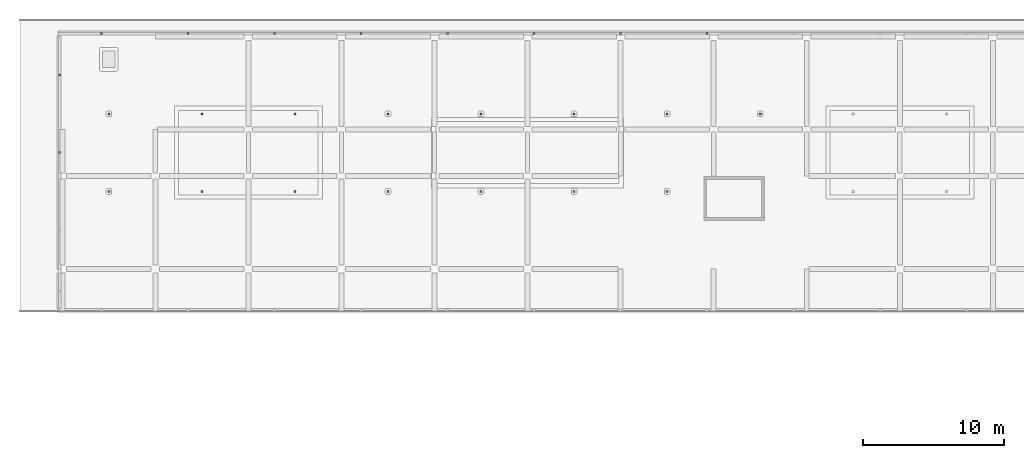
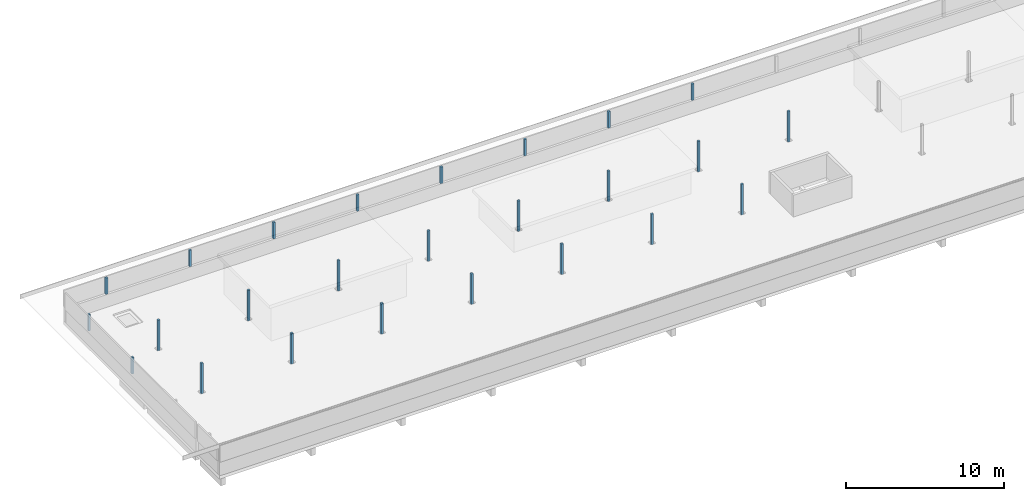
# One storey, part 29 of 61: 25 discrete accessories.
"""IFC4 building model written with IfcOpenShell, lengths in metres."""

from ifc_helpers import new_model, si_unit, direction, frame, origin, origin_2d, place, context, subcontext, project, spatial, rectangle, extrude, material, type_object, element, save


model = new_model("IFC4")

# Units and contexts
model_context = context("Model", 3, precision=1e-05, world=origin(), true_north=direction((0.0, 1.0)))
body_context = subcontext(model_context, "Body", "Model", "MODEL_VIEW")
ifc_project = project(units=[si_unit("LENGTHUNIT", "METRE"), si_unit("AREAUNIT", "SQUARE_METRE"), si_unit("VOLUMEUNIT", "CUBIC_METRE"), si_unit("PLANEANGLEUNIT", "RADIAN"), si_unit("MASSUNIT", "GRAM", prefix="KILO")], contexts=[model_context])

# Site, building, storey
site_placement = place(None, origin())
site = spatial("IfcSite", under=ifc_project, at=site_placement, CompositionType="ELEMENT")
building_placement = place(site_placement, origin())
building = spatial("IfcBuilding", under=site, at=building_placement, Name="Lantern Court Research Institute", CompositionType="ELEMENT")
storey_placement = place(building_placement, frame((0.0, 0.0, 23.39990234375)))
storey = spatial("IfcBuildingStorey", under=building, at=storey_placement, Name="L05", CompositionType="ELEMENT", Elevation=23.39990234375)

# Discrete accessories
ifc_material = material(Name="Structural steel S355", Category="steel")
discrete_accessory_type = type_object("IfcDiscreteAccessoryType", Name="Parasol roof post 150 x 150 steel", PredefinedType="BRACKET", material=ifc_material)
for number, where, z_axis, x_axis, name in (
    (1, (3.300048828125, 88.0, 0.0), (0.0, 0.0, 1.0), (1.0, 0.0, 0.0), "Parasol roof post V6 1"),
    (2, (9.89990234375, 88.0, 0.0), (0.0, 0.0, 1.0), (1.0, 0.0, 0.0), "Parasol roof post V6 2"),
    (3, (16.5, 88.0, 0.0), (0.0, 0.0, 1.0), (1.0, 0.0, 0.0), "Parasol roof post V6 3"),
    (4, (23.10009765625, 88.0, 0.0), (0.0, 0.0, 1.0), (1.0, 0.0, 0.0), "Parasol roof post V6 4"),
    (5, (29.699951171875, 88.0, 0.0), (0.0, 0.0, 1.0), (1.0, 0.0, 0.0), "Parasol roof post V6 5"),
    (6, (36.300048828125, 88.0, 0.0), (0.0, 0.0, 1.0), (1.0, 0.0, 0.0), "Parasol roof post V6 6"),
    (7, (42.89990234375, 88.0, 0.0), (0.0, 0.0, 1.0), (1.0, 0.0, 0.0), "Parasol roof post V6 7"),
    (8, (3.300048828125, 93.5, 0.0), (0.0, 0.0, 1.0), (1.0, 0.0, 0.0), "Parasol roof post V6 12"),
    (9, (9.89990234375, 93.5, 0.0), (0.0, 0.0, 1.0), (1.0, 0.0, 0.0), "Parasol roof post V6 13"),
    (10, (16.5, 93.5, 0.0), (0.0, 0.0, 1.0), (1.0, 0.0, 0.0), "Parasol roof post V6 14"),
    (11, (23.10009765625, 93.5, 0.0), (0.0, 0.0, 1.0), (1.0, 0.0, 0.0), "Parasol roof post V6 15"),
    (12, (29.699951171875, 93.5, 0.0), (0.0, 0.0, 1.0), (1.0, 0.0, 0.0), "Parasol roof post V6 16"),
    (13, (36.300048828125, 93.5, 0.0), (0.0, 0.0, 1.0), (1.0, 0.0, 0.0), "Parasol roof post V6 17"),
    (14, (42.89990234375, 93.5, 0.0), (0.0, 0.0, 1.0), (1.0, 0.0, 0.0), "Parasol roof post V6 18"),
    (15, (49.5, 93.5, 0.0), (0.0, 0.0, 1.0), (1.0, 0.0, 0.0), "Parasol roof post V6 19"),
):
    element("IfcDiscreteAccessory", number, at=place(storey_placement, frame(where, z_axis=z_axis, x_axis=x_axis)), inside=storey, type_object=discrete_accessory_type, Name=name, PredefinedType="BRACKET", context=body_context, shape_type="SweptSolid", body=[
        extrude(rectangle(XDim=0.14990234375, YDim=0.14990234375, at=origin_2d()), origin(), (0.0, 0.0, 1.0), 2.3701171875),
    ])
for number, where, z_axis, x_axis, name in (
    (16, (-0.199951171875, 96.25, 1.10009765625), (0.0, 0.0, 1.0), (1.0, 0.0, 0.0), "Parasol roof post V6 24"),
    (17, (-0.199951171875, 90.75, 1.10009765625), (0.0, 0.0, 1.0), (1.0, 0.0, 0.0), "Parasol roof post V6 25"),
    (18, (45.738525390625, 99.199951171875, 1.10009765625), (0.0, 0.0, 1.0), (1.0, 0.0, 0.0), "Parasol roof post V6 50"),
    (19, (39.60009765625, 99.199951171875, 1.10009765625), (0.0, 0.0, 1.0), (1.0, 0.0, 0.0), "Parasol roof post V6 51"),
    (20, (33.46142578125, 99.199951171875, 1.10009765625), (0.0, 0.0, 1.0), (1.0, 0.0, 0.0), "Parasol roof post V6 52"),
    (21, (27.322998046875, 99.199951171875, 1.10009765625), (0.0, 0.0, 1.0), (1.0, 0.0, 0.0), "Parasol roof post V6 53"),
    (22, (21.1845703125, 99.199951171875, 1.10009765625), (0.0, 0.0, 1.0), (1.0, 0.0, 0.0), "Parasol roof post V6 54"),
    (23, (15.046142578125, 99.199951171875, 1.10009765625), (0.0, 0.0, 1.0), (1.0, 0.0, 0.0), "Parasol roof post V6 55"),
    (24, (8.90771484375, 99.199951171875, 1.10009765625), (0.0, 0.0, 1.0), (1.0, 0.0, 0.0), "Parasol roof post V6 56"),
    (25, (2.769287109375, 99.199951171875, 1.10009765625), (0.0, 0.0, 1.0), (1.0, 0.0, 0.0), "Parasol roof post V6 57"),
):
    element("IfcDiscreteAccessory", number, at=place(storey_placement, frame(where, z_axis=z_axis, x_axis=x_axis)), inside=storey, type_object=discrete_accessory_type, Name=name, PredefinedType="BRACKET", context=body_context, shape_type="SweptSolid", body=[
        extrude(rectangle(XDim=0.14990234375, YDim=0.14990234375, at=origin_2d()), origin(), (0.0, 0.0, 1.0), 1.27001953125),
    ])

save(model, "model.ifc")
